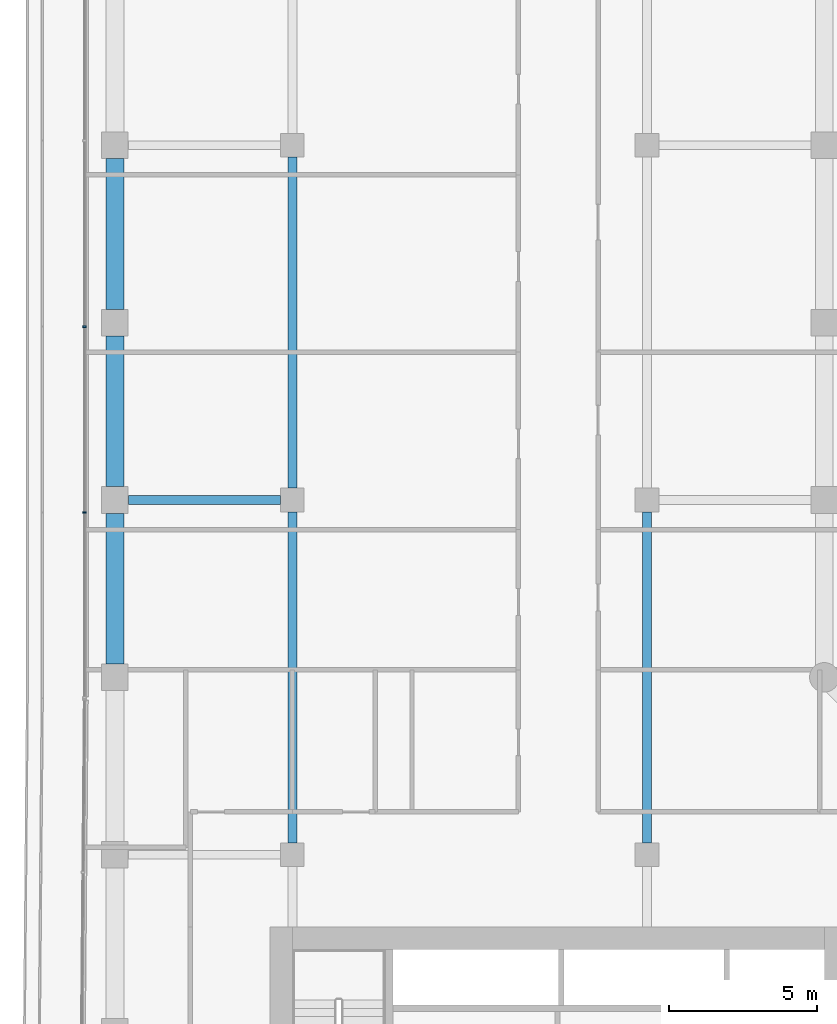
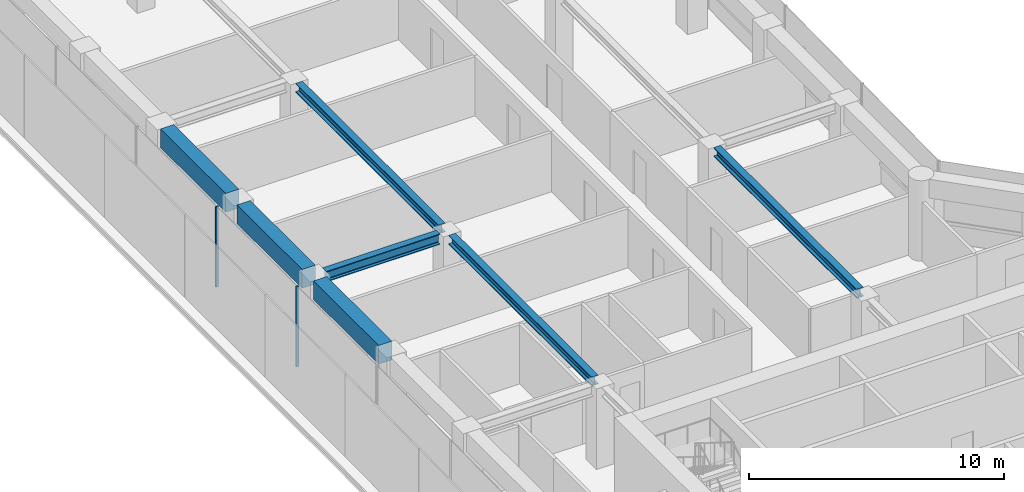
# One storey, part 10 of 23: 7 beams, 2 members, 1 element without a shape of its own.
"""IFC4 building model written with IfcOpenShell, lengths in metres."""

from ifc_helpers import new_model, si_unit, direction, frame, origin, origin_2d, place, context, subcontext, project, spatial, rectangle, i_section, extrude, material, layer, layer_set, material_profile, profile_set, type_object, element, aggregate, save


model = new_model("IFC4")

# Units and contexts
model_context = context("Model", 3, precision=1e-05, world=origin(), true_north=direction((0.0, 1.0)))
body_context = subcontext(model_context, "Body", "Model", "MODEL_VIEW")
ifc_project = project(units=[si_unit("LENGTHUNIT", "METRE"), si_unit("AREAUNIT", "SQUARE_METRE"), si_unit("VOLUMEUNIT", "CUBIC_METRE"), si_unit("PLANEANGLEUNIT", "RADIAN"), si_unit("MASSUNIT", "GRAM", prefix="KILO")], contexts=[model_context])

# Site, building, storey
site_placement = place(None, origin())
site = spatial("IfcSite", under=ifc_project, at=site_placement, CompositionType="ELEMENT")
building_placement = place(site_placement, origin())
building = spatial("IfcBuilding", under=site, at=building_placement, Name="Welwitschia Terrace Campus", CompositionType="ELEMENT")
storey_placement = place(building_placement, frame((0.0, 0.0, 113.0)))
storey = spatial("IfcBuildingStorey", under=building, at=storey_placement, Name="L25", CompositionType="ELEMENT", Elevation=113.0)

# Beams
ifc_material_1 = material(Name="Steel S355", Category="steel")
ifc_material_profile_1 = material_profile(ifc_material_1, i_section(OverallWidth=0.306884765625, OverallDepth=0.431884765625, WebThickness=0.02099609375, FlangeThickness=0.0400390625, FilletRadius=0.027099609375, at=origin_2d()))
ifc_profile_set_1 = profile_set([ifc_material_profile_1], Name="Steel S355")
beam_type_1 = type_object("IfcBeamType", Name="Interior girder HE 400 M", PredefinedType="BEAM", material=ifc_profile_set_1)
for number, where, z_axis, x_axis, name in (
    (1, (6.0, 28.400390625, 3.634033203125), (0.0, 1.0, 0.0), (-1.0, 0.0, 0.0), "Girder GB3"),
    (2, (6.0, 40.400390625, 3.634033203125), (0.0, 1.0, 0.0), (-1.0, 0.0, 0.0), "Girder GB3"),
    (3, (18.0, 28.400390625, 3.634033203125), (0.0, 1.0, 0.0), (-1.0, 0.0, 0.0), "Girder GB3"),
):
    element("IfcBeam", number, at=place(storey_placement, frame(where, z_axis=z_axis, x_axis=x_axis)), inside=storey, type_object=beam_type_1, Name=name, PredefinedType="BEAM", context=body_context, shape_type="SweptSolid", body=[
        extrude(i_section(OverallWidth=0.306884765625, OverallDepth=0.431884765625, WebThickness=0.02099609375, FlangeThickness=0.0400390625, FilletRadius=0.027099609375, at=origin_2d()), origin(), (0.0, 0.0, 1.0), 11.19921875),
    ])

# Curtain wall, members
ifc_material_2 = material(Name="Bronze anodised aluminium", Category="aluminium")
ifc_layer = layer(ifc_material_2, 0.1201171875)
ifc_layer_set = layer_set([ifc_layer], Name="Bronze anodised aluminium")
curtain_wall_type = type_object("IfcCurtainWallType", Name="Curtain wall CW2 tower 6000", PredefinedType="NOTDEFINED", material=ifc_layer_set)
curtain_wall_placement = place(storey_placement, origin())
curtain_wall = element("IfcCurtainWall", 4, at=curtain_wall_placement, inside=storey, type_object=curtain_wall_type, Name="CW L25.1.0", PredefinedType="NOTDEFINED")
ifc_material_3 = material(Name="Bronze anodised aluminium", Category="aluminium")
ifc_material_profile_2 = material_profile(ifc_material_3, rectangle(XDim=0.1201171875, YDim=0.06005859375, at=origin_2d()))
ifc_profile_set_2 = profile_set([ifc_material_profile_2], Name="Bronze anodised aluminium")
member_type = type_object("IfcMemberType", Name="Mullion 60x120", PredefinedType="MULLION", material=ifc_profile_set_2)
member_1_placement = place(storey_placement, frame((-1.030029296875, 45.86572265625, 0.0), z_axis=(0.0, 0.0, 1.0), x_axis=(1.0, 0.0, 0.0)))
member_1 = element("IfcMember", 5, at=member_1_placement, type_object=member_type, Name="Mullion L25.1.0.4", PredefinedType="MULLION", context=body_context, shape_type="SweptSolid", body=[
    extrude(rectangle(XDim=0.1201171875, YDim=0.06005859375, at=origin_2d()), origin(), (0.0, 0.0, 1.0), 3.85009765625),
])
member_2_placement = place(storey_placement, frame((-1.030029296875, 39.57470703125, 0.0), z_axis=(0.0, 0.0, 1.0), x_axis=(1.0, 0.0, 0.0)))
member_2 = element("IfcMember", 6, at=member_2_placement, type_object=member_type, Name="Mullion L25.1.0.5", PredefinedType="MULLION", context=body_context, shape_type="SweptSolid", body=[
    extrude(rectangle(XDim=0.1201171875, YDim=0.06005859375, at=origin_2d()), origin(), (0.0, 0.0, 1.0), 3.85009765625),
])
aggregate(curtain_wall, [member_1, member_2])

# Beams
ifc_material_4 = material(Name="Steel S355", Category="steel")
ifc_material_profile_3 = material_profile(ifc_material_4, i_section(OverallWidth=0.300048828125, OverallDepth=0.5, WebThickness=0.014404296875, FlangeThickness=0.028076171875, FilletRadius=0.027099609375, at=origin_2d()))
ifc_profile_set_3 = profile_set([ifc_material_profile_3], Name="Steel S355")
beam_type_2 = type_object("IfcBeamType", Name="Primary beam HE 500 B", PredefinedType="BEAM", material=ifc_profile_set_3)
beam_placement = place(storey_placement, frame((0.450439453125, 40.0, 3.60009765625), z_axis=(1.0, 0.0, 0.0), x_axis=(0.0, 1.0, 0.0)))
element("IfcBeam", 7, at=beam_placement, inside=storey, type_object=beam_type_2, Name="Primary beam PB3", PredefinedType="BEAM", context=body_context, shape_type="SweptSolid", body=[
    extrude(i_section(OverallWidth=0.300048828125, OverallDepth=0.5, WebThickness=0.014404296875, FlangeThickness=0.028076171875, FilletRadius=0.027099609375, at=origin_2d()), origin(), (0.0, 0.0, 1.0), 5.149169921875),
])
ifc_material_5 = material(Name="Concrete C60/75", Category="concrete")
ifc_material_profile_4 = material_profile(ifc_material_5, rectangle(XDim=0.60009765625, YDim=0.89990234375, at=origin_2d()))
ifc_profile_set_4 = profile_set([ifc_material_profile_4], Name="Concrete C60/75")
beam_type_3 = type_object("IfcBeamType", Name="Ring spandrel 600x900", PredefinedType="SPANDREL", material=ifc_profile_set_4)
for number, where, z_axis, x_axis, name in (
    (8, (0.0, 51.549560546875, 3.39990234375), (0.0, -1.0, 0.0), (1.0, 0.0, 0.0), "Spandrel SP2"),
    (9, (0.0, 45.549560546875, 3.39990234375), (0.0, -1.0, 0.0), (1.0, 0.0, 0.0), "Spandrel SP2"),
    (10, (0.0, 39.549560546875, 3.39990234375), (0.0, -1.0, 0.0), (1.0, 0.0, 0.0), "Spandrel SP2"),
):
    element("IfcBeam", number, at=place(storey_placement, frame(where, z_axis=z_axis, x_axis=x_axis)), inside=storey, type_object=beam_type_3, Name=name, PredefinedType="SPANDREL", context=body_context, shape_type="SweptSolid", body=[
        extrude(rectangle(XDim=0.60009765625, YDim=0.89990234375, at=origin_2d()), origin(), (0.0, 0.0, 1.0), 5.09912109375),
    ])

save(model, "model.ifc")
